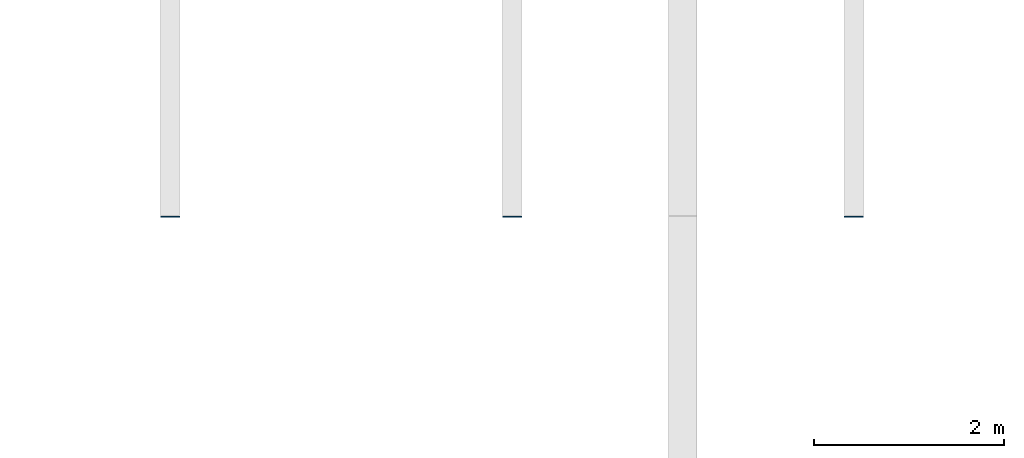
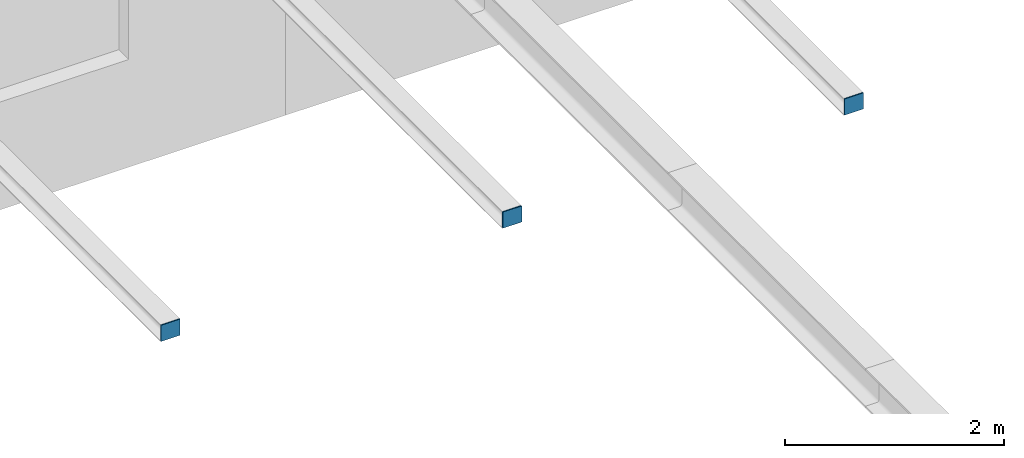
# One storey, part 68 of 110: 3 discrete accessories.
"""IFC4 building model written with IfcOpenShell, lengths in metres."""

from ifc_helpers import new_model, si_unit, direction, frame, origin, origin_2d, place, context, subcontext, project, spatial, rectangle, extrude, material, layer, layer_set, type_object, element, save


model = new_model("IFC4")

# Units and contexts
model_context = context("Model", 3, precision=1e-05, world=origin(), true_north=direction((0.0, 1.0)))
body_context = subcontext(model_context, "Body", "Model", "MODEL_VIEW")
ifc_project = project(units=[si_unit("LENGTHUNIT", "METRE"), si_unit("AREAUNIT", "SQUARE_METRE"), si_unit("VOLUMEUNIT", "CUBIC_METRE"), si_unit("PLANEANGLEUNIT", "RADIAN"), si_unit("MASSUNIT", "GRAM", prefix="KILO")], contexts=[model_context])

# Site, building, storey
site_placement = place(None, origin())
site = spatial("IfcSite", under=ifc_project, at=site_placement, CompositionType="ELEMENT")
building_placement = place(site_placement, origin())
building = spatial("IfcBuilding", under=site, at=building_placement, Name="Kupolbacken Congress Centre", CompositionType="ELEMENT")
storey_placement = place(building_placement, frame((0.0, 0.0, 18.0)))
storey = spatial("IfcBuildingStorey", under=building, at=storey_placement, Name="L05", CompositionType="ELEMENT", Elevation=18.0)

# Discrete accessories
ifc_material = material(Name="Steel S355", Category="steel")
ifc_layer = layer(ifc_material, 0.011962890625)
ifc_layer_set = layer_set([ifc_layer], Name="Steel S355")
discrete_accessory_type = type_object("IfcDiscreteAccessoryType", Name="BK3 bracket end plate 200 x 180 x 12", PredefinedType="BRACKET", material=ifc_layer_set)
for number, where, z_axis, x_axis, name in (
    (1, (189.0, 107.993896484375, 3.60009765625), (0.0, 0.0, 1.0), (1.0, 0.0, 0.0), "Eave bracket end plate N29"),
    (2, (192.60009765625, 107.993896484375, 3.60009765625), (0.0, 0.0, 1.0), (1.0, 0.0, 0.0), "Eave bracket end plate N30"),
    (3, (196.199951171875, 107.993896484375, 3.60009765625), (0.0, 0.0, 1.0), (1.0, 0.0, 0.0), "Eave bracket end plate N31"),
):
    element("IfcDiscreteAccessory", number, at=place(storey_placement, frame(where, z_axis=z_axis, x_axis=x_axis)), inside=storey, type_object=discrete_accessory_type, Name=name, PredefinedType="BRACKET", context=body_context, shape_type="SweptSolid", body=[
        extrude(rectangle(XDim=0.199951171875, YDim=0.011962890625, at=origin_2d()), origin(), (0.0, 0.0, 1.0), 0.179931640625),
    ])

save(model, "model.ifc")
